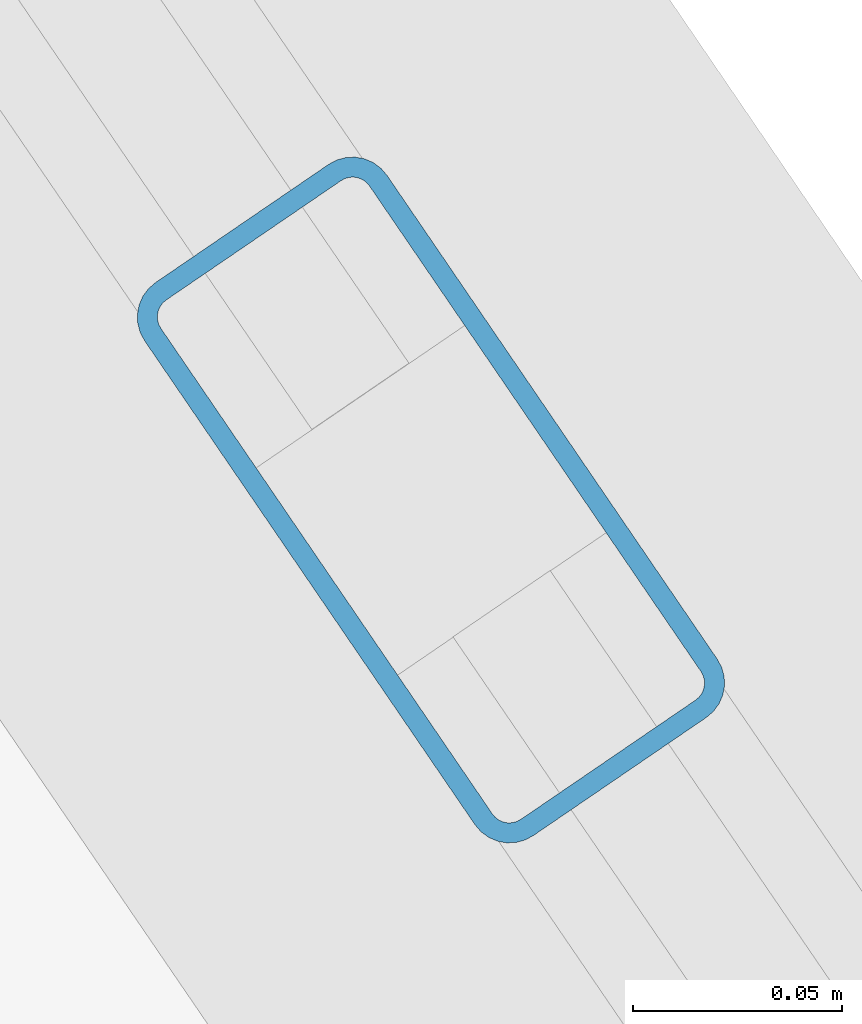
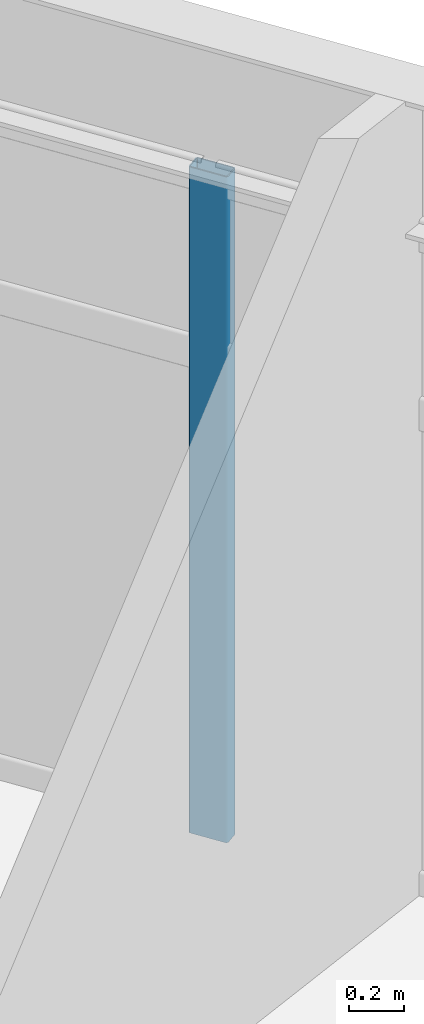
# One storey, part 13 of 24: 1 member, 1 element without a shape of its own.
"""IFC4 building model written with IfcOpenShell, lengths in metres."""

from ifc_helpers import new_model, si_unit, direction, frame, origin, origin_2d, place, context, subcontext, project, spatial, hollow_rectangle, extrude, material, layer, layer_set, material_profile, profile_set, type_object, element, aggregate, save


model = new_model("IFC4")

# Units and contexts
model_context = context("Model", 3, precision=1e-05, world=origin(), true_north=direction((0.0, 1.0)))
body_context = subcontext(model_context, "Body", "Model", "MODEL_VIEW")
ifc_project = project(units=[si_unit("LENGTHUNIT", "METRE"), si_unit("AREAUNIT", "SQUARE_METRE"), si_unit("VOLUMEUNIT", "CUBIC_METRE"), si_unit("PLANEANGLEUNIT", "RADIAN"), si_unit("MASSUNIT", "GRAM", prefix="KILO")], contexts=[model_context])

# Site, building, storey
site_placement = place(None, origin())
site = spatial("IfcSite", under=ifc_project, at=site_placement, CompositionType="ELEMENT")
building_placement = place(site_placement, origin())
building = spatial("IfcBuilding", under=site, at=building_placement, Name="Soratama Intermodal Tower", CompositionType="ELEMENT")
storey_placement = place(building_placement, frame((0.0, 0.0, 91.300048828125)))
storey = spatial("IfcBuildingStorey", under=building, at=storey_placement, Name="L21", CompositionType="ELEMENT", Elevation=91.300048828125)

# Curtain wall, member
ifc_material_1 = material(Name="Double-glazed aluminium curtain wall", Category="aluminium")
ifc_layer = layer(ifc_material_1, 0.159912109375)
ifc_layer_set = layer_set([ifc_layer], Name="Double-glazed aluminium curtain wall")
curtain_wall_type = type_object("IfcCurtainWallType", Name="CW-SYS-3", PredefinedType="NOTDEFINED", material=ifc_layer_set)
curtain_wall_placement = place(storey_placement, origin())
curtain_wall = element("IfcCurtainWall", 1, at=curtain_wall_placement, inside=storey, type_object=curtain_wall_type, Name="L21 Faceted Curtain Wall F01", PredefinedType="NOTDEFINED")
ifc_material_2 = material(Name="Anodised aluminium AA 6063-T6", Category="aluminium")
ifc_material_profile = material_profile(ifc_material_2, hollow_rectangle(XDim=0.070068359375, YDim=0.159912109375, WallThickness=0.0048828125, InnerFilletRadius=0.0048828125, OuterFilletRadius=0.010009765625, at=origin_2d()), Name="CWM160X70X5")
ifc_profile_set = profile_set([ifc_material_profile], Name="Anodised aluminium AA 6063-T6")
member_type = type_object("IfcMemberType", Name="MT-CWM-3", PredefinedType="MULLION", material=ifc_profile_set)
member_placement = place(storey_placement, frame((60.424072265625, 35.529541015625, 0.0), z_axis=(0.0, 0.0, 1.0), x_axis=(-0.82590200148, -0.563813696137, 0.0)))
member = element("IfcMember", 2, at=member_placement, type_object=member_type, Name="CW-3 mullion 2", PredefinedType="MULLION", context=body_context, shape_type="SweptSolid", body=[
    extrude(hollow_rectangle(XDim=0.070068359375, YDim=0.159912109375, WallThickness=0.0048828125, InnerFilletRadius=0.0048828125, OuterFilletRadius=0.010009765625, at=origin_2d()), origin(), (0.0, 0.0, 1.0), 2.97900390625),
])
aggregate(curtain_wall, [member])

save(model, "model.ifc")
